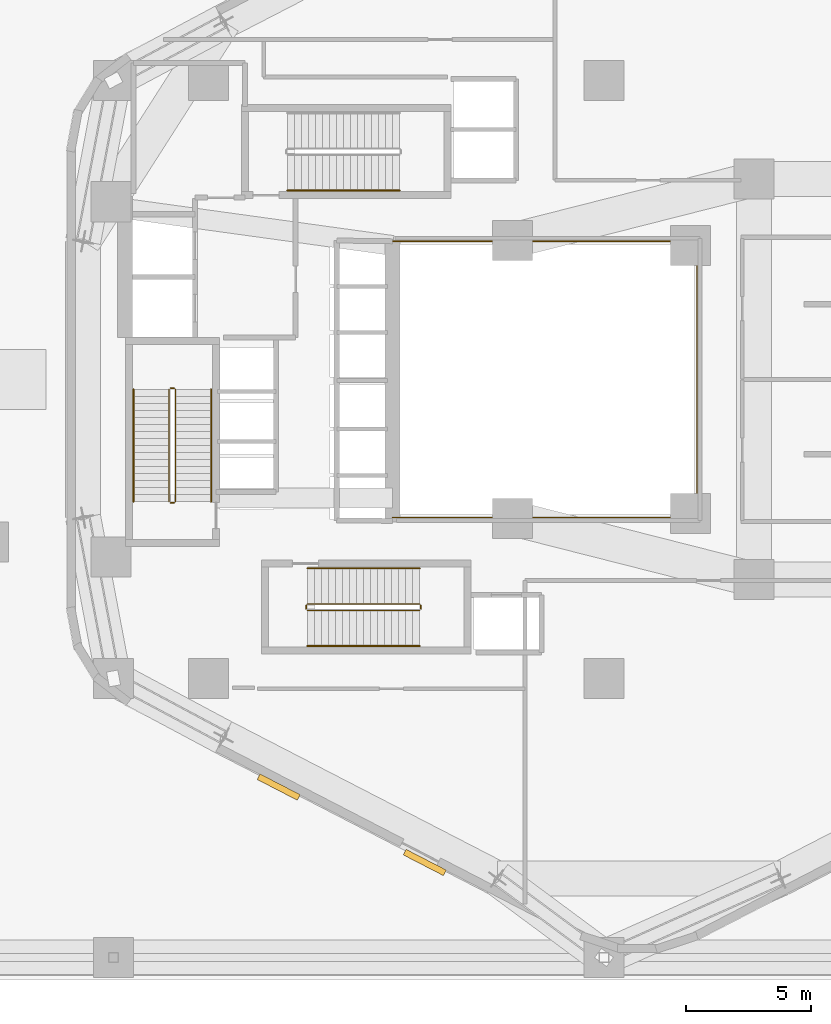
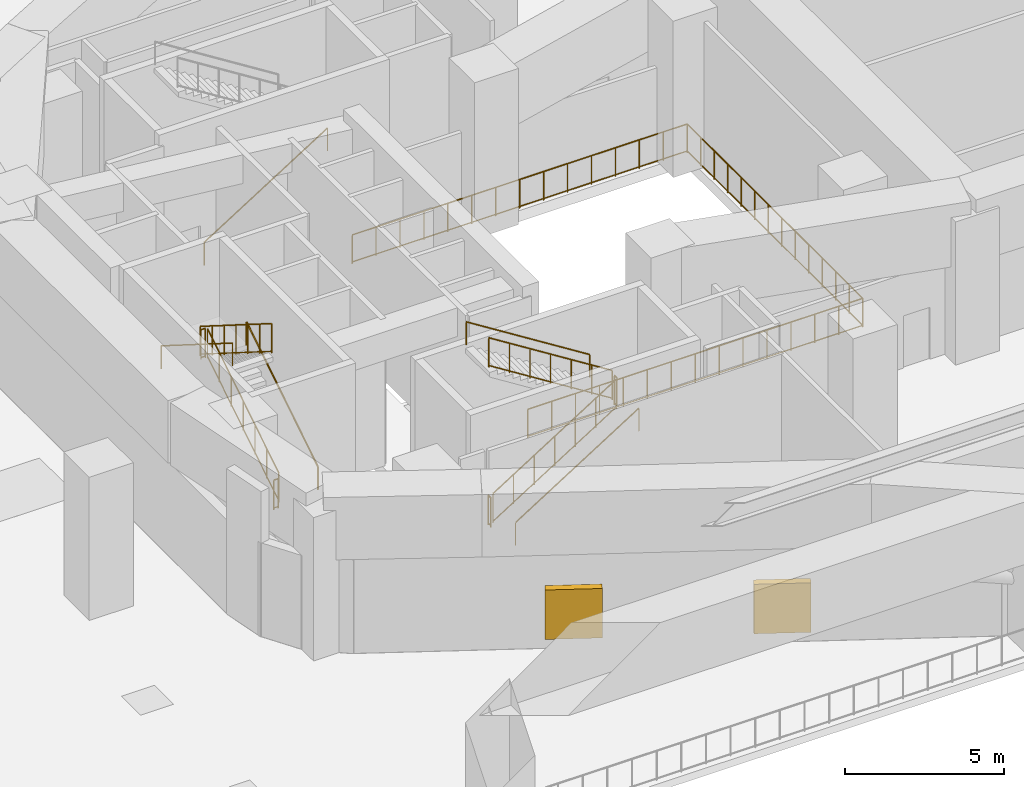
# One storey, part 12 of 15: 14 railings, 2 shading devices.
"""IFC4 building model written with IfcOpenShell, lengths in metres."""

import ifcopenshell
import ifcopenshell.guid

model = None  # the IFC model being written
_history = None  # IfcOwnerHistory: only IFC2X3 demands one
_inside = {}  # id of a spatial element -> (the spatial element, [elements in it])
_under = {}  # id of a project, library or spatial element -> (it, [spatial elements below it])
_declared = {}  # id of a project -> (the project, [libraries it declares])
_typed = {}  # id of a type object -> (the type object, [elements of that type])
_made_of = {}  # id of a material, layer set ... -> (it, [elements and type objects made of it])


def new_model(schema):
    """Start an empty IFC model of exactly this schema.

    Asked for "IFC4X3", IfcOpenShell would pick the latest addendum, in which some entities
    have other attributes; the version numbers below select the first issue.
    IFC2X3 requires an IfcOwnerHistory on every rooted entity: one is made here for all.
    """
    global model, _history
    if schema == "IFC4X3":
        model = ifcopenshell.file(schema_version=(4, 3, 0, 0))
    else:
        model = ifcopenshell.file(schema=schema)
    _inside.clear()
    _under.clear()
    _declared.clear()
    _typed.clear()
    _made_of.clear()
    _history = None
    if model.schema == "IFC2X3":
        org = make("IfcOrganization", Name="unknown")
        user = make(
            "IfcPersonAndOrganization",
            ThePerson=make("IfcPerson", FamilyName="unknown"),
            TheOrganization=org,
        )
        app = make(
            "IfcApplication",
            ApplicationDeveloper=org,
            Version="unknown",
            ApplicationFullName="unknown",
            ApplicationIdentifier="unknown",
        )
        _history = make(
            "IfcOwnerHistory",
            OwningUser=user,
            OwningApplication=app,
            ChangeAction="ADDED",
            CreationDate=0,
        )
    return model


def make(cls, **values):
    """One entity of the class cls with the attributes given. An attribute that is None is left unset."""
    return model.create_entity(
        cls, **{name: value for name, value in values.items() if value is not None}
    )


def rooted(cls, **values):
    """An entity with a GlobalId (a new one), such as an element, a storey or a relation."""
    return make(cls, GlobalId=ifcopenshell.guid.new(), OwnerHistory=_history, **values)


def si_unit(unit_type, name, prefix=None):
    """IfcSIUnit, for example si_unit("LENGTHUNIT", "METRE", prefix="MILLI")."""
    return make("IfcSIUnit", UnitType=unit_type, Prefix=prefix, Name=name)


def assignment(units):
    """IfcUnitAssignment: the units of a project."""
    return None if units is None else make("IfcUnitAssignment", Units=units)


def point(xyz):
    """IfcCartesianPoint."""
    return None if xyz is None else make("IfcCartesianPoint", Coordinates=xyz)


def direction(xyz):
    """IfcDirection."""
    return None if xyz is None else make("IfcDirection", DirectionRatios=xyz)


def frame(location, z_axis=None, x_axis=None):
    """IfcAxis2Placement3D, a coordinate frame: its origin and axes. An axis left out is left unset."""
    return make(
        "IfcAxis2Placement3D",
        Location=point(location),
        Axis=direction(z_axis),
        RefDirection=direction(x_axis),
    )


def frame_2d(location, x_axis=None):
    """IfcAxis2Placement2D, a coordinate frame in the plane: its origin and x axis."""
    return make(
        "IfcAxis2Placement2D", Location=point(location), RefDirection=direction(x_axis)
    )


def origin():
    """The frame at (0, 0, 0) with its axes left unset."""
    return frame((0.0, 0.0, 0.0))


def origin_2d():
    """The frame at (0, 0) in the plane with its x axis left unset."""
    return frame_2d((0.0, 0.0))


def place(relative_to, where):
    """IfcLocalPlacement: puts the frame where relative to a parent placement (None: the world)."""
    return make(
        "IfcLocalPlacement", PlacementRelTo=relative_to, RelativePlacement=where
    )


def context(
    kind, dimensions, precision=None, world=None, true_north=None, identifier=None
):
    """IfcGeometricRepresentationContext, for example the 3D "Model" context."""
    return make(
        "IfcGeometricRepresentationContext",
        ContextIdentifier=identifier,
        ContextType=kind,
        CoordinateSpaceDimension=dimensions,
        Precision=precision,
        WorldCoordinateSystem=world,
        TrueNorth=true_north,
    )


def subcontext(parent, identifier, kind, view, scale=None):
    """IfcGeometricRepresentationSubContext, for example "Body" below "Model"."""
    return make(
        "IfcGeometricRepresentationSubContext",
        ContextIdentifier=identifier,
        ContextType=kind,
        ParentContext=parent,
        TargetScale=scale,
        TargetView=view,
    )


def project(units=None, contexts=None):
    """IfcProject with its units and contexts."""
    return rooted(
        "IfcProject",
        Name="project",
        RepresentationContexts=contexts,
        UnitsInContext=assignment(units),
    )


def spatial(cls, under=None, at=None, **own):
    """A site, building, storey or space (cls), placed at a placement, below another one or the project."""
    s = rooted(cls, ObjectPlacement=at, **own)
    if under is not None:
        _under.setdefault(under.id(), (under, []))[1].append(s)
    return s


def profile(cls, at=None, kind="AREA", **sizes):
    """A parametric profile (cls). Its sizes go by their IFC names, for example OverallWidth=200.0."""
    return make(cls, ProfileType=kind, Position=at, **sizes)


def rectangle(**sizes):
    """IfcRectangleProfileDef."""
    return profile("IfcRectangleProfileDef", **sizes)


def circle(**sizes):
    """IfcCircleProfileDef."""
    return profile("IfcCircleProfileDef", **sizes)


def extrude(swept, where, along, depth):
    """IfcExtrudedAreaSolid: the profile swept, set in the frame where, extruded along a direction by depth."""
    return make(
        "IfcExtrudedAreaSolid",
        SweptArea=swept,
        Position=where,
        ExtrudedDirection=direction(along),
        Depth=depth,
    )


def shape(context_of_items, identifier, shape_type, items):
    """IfcShapeRepresentation: the items that make up one representation, for example the "Body"."""
    return make(
        "IfcShapeRepresentation",
        ContextOfItems=context_of_items,
        RepresentationIdentifier=identifier,
        RepresentationType=shape_type,
        Items=items,
    )


def material(Name=None, Category=None):
    """IfcMaterial."""
    return make("IfcMaterial", Name=Name, Category=Category)


def made_of(thing, what):
    """Note that an element or type object is made of a material, layer set ...; save() writes the relation."""
    if what is not None:
        _made_of.setdefault(what.id(), (what, []))[1].append(thing)
    return thing


def type_object(cls, material=None, **own):
    """A type object (cls), such as IfcWallType, which elements share."""
    return made_of(rooted(cls, **own), material)


def element(
    cls,
    number,
    at=None,
    inside=None,
    cuts=None,
    type_object=None,
    material=None,
    context=None,
    identifier="Body",
    shape_type=None,
    held_by="IfcProductDefinitionShape",
    body=None,
    shapes=None,
    **own,
):
    """One element of the class cls, such as IfcWall. Its Tag is "e" and its number.

    at: its placement. inside: the storey or other place that contains it. cuts: it is an
    opening in that element (IfcRelVoidsElement). A single representation is given by context,
    identifier, shape_type and body (its items); several are given by shapes. held_by: the class
    of the entity that holds the representations. save() writes the other relations.
    """
    e = rooted(cls, Tag="e%d" % number, ObjectPlacement=at, **own)
    if body is not None:
        shapes = [shape(context, identifier, shape_type, body)]
    if shapes is not None:
        e.Representation = make(held_by, Representations=shapes)
    if inside is not None:
        _inside.setdefault(inside.id(), (inside, []))[1].append(e)
    if cuts is not None:
        rooted(
            "IfcRelVoidsElement", RelatingBuildingElement=cuts, RelatedOpeningElement=e
        )
    if type_object is not None:
        _typed.setdefault(type_object.id(), (type_object, []))[1].append(e)
    return made_of(e, material)


def aggregate(whole, parts):
    """IfcRelAggregates: a whole, such as a stair, and the parts it consists of."""
    return rooted("IfcRelAggregates", RelatingObject=whole, RelatedObjects=parts)


def save(model, path):
    """Write the relations noted so far, then the file.

    IfcRelAggregates (storeys below a building ...), IfcRelContainedInSpatialStructure (elements
    in a storey), IfcRelDefinesByType, IfcRelAssociatesMaterial and IfcRelDeclares: one each for
    every whole, place, type object, material and project.
    """
    for whole, parts in _under.values():
        aggregate(whole, parts)
    for where, things in _inside.values():
        rooted(
            "IfcRelContainedInSpatialStructure",
            RelatedElements=things,
            RelatingStructure=where,
        )
    for kind, things in _typed.values():
        rooted("IfcRelDefinesByType", RelatedObjects=things, RelatingType=kind)
    for what, things in _made_of.values():
        rooted("IfcRelAssociatesMaterial", RelatedObjects=things, RelatingMaterial=what)
    for by, libraries in _declared.values():
        rooted("IfcRelDeclares", RelatingContext=by, RelatedDefinitions=libraries)
    model.write(path)


model = new_model("IFC4")

# Units and contexts
model_context = context("Model", 3, precision=1e-05, world=origin(), true_north=direction((0.0, 1.0)))
body_context = subcontext(model_context, "Body", "Model", "MODEL_VIEW")
ifc_project = project(units=[si_unit("LENGTHUNIT", "METRE"), si_unit("AREAUNIT", "SQUARE_METRE"), si_unit("VOLUMEUNIT", "CUBIC_METRE"), si_unit("PLANEANGLEUNIT", "RADIAN"), si_unit("MASSUNIT", "GRAM", prefix="KILO"), si_unit("THERMODYNAMICTEMPERATUREUNIT", "KELVIN"), si_unit("POWERUNIT", "WATT")], contexts=[model_context])

# Site, building, storey
site_placement = place(None, origin())
site = spatial("IfcSite", under=ifc_project, at=site_placement, CompositionType="ELEMENT")
building_placement = place(site_placement, origin())
building = spatial("IfcBuilding", under=site, at=building_placement, Name="Skarre Station Tower", CompositionType="ELEMENT")
storey_placement = place(building_placement, frame((0.0, 0.0, 21.0)))
storey = spatial("IfcBuildingStorey", under=building, at=storey_placement, Name="L05", CompositionType="ELEMENT", Elevation=21.0)

# Railings
ifc_material_1 = material(Name="Bronze Anodized Steel & Laminated Glass Balustrade", Category="steel")
railing_type_1 = type_object("IfcRailingType", Name="Atrium Void & Mezzanine Guard Balustrade 1120", PredefinedType="GUARDRAIL", material=ifc_material_1)
railing_1_placement = place(storey_placement, frame((27.550048828125, 18.47998046875, 0.0)))
element("IfcRailing", 1, at=railing_1_placement, inside=storey, type_object=railing_type_1, Name="L05 Atrium Void Guard Balustrade", PredefinedType="GUARDRAIL", context=body_context, shape_type="SweptSolid", body=[
    extrude(circle(Radius=0.02392578125, at=origin_2d()), frame((0.0, 0.0, 1.09619140625), z_axis=(1.0, 0.0, 0.0), x_axis=(0.0, 1.0, 0.0)), (0.0, 0.0, 1.0), 12.169921875),
    extrude(circle(Radius=0.02099609375, at=origin_2d()), frame((0.0, 0.0, 0.06005859375), z_axis=(1.0, 0.0, 0.0), x_axis=(0.0, 1.0, 0.0)), (0.0, 0.0, 1.0), 12.169921875),
    extrude(circle(Radius=0.02392578125, at=origin_2d()), frame((12.169921875, 0.0, 1.09619140625), z_axis=(0.0, 1.0, 0.0), x_axis=(-1.0, 0.0, 0.0)), (0.0, 0.0, 1.0), 11.0400390625),
    extrude(circle(Radius=0.02099609375, at=origin_2d()), frame((12.169921875, 0.0, 0.06005859375), z_axis=(0.0, 1.0, 0.0), x_axis=(-1.0, 0.0, 0.0)), (0.0, 0.0, 1.0), 11.0400390625),
    extrude(circle(Radius=0.02392578125, at=origin_2d()), frame((12.169921875, 11.0400390625, 1.09619140625), z_axis=(-1.0, 0.0, 0.0), x_axis=(0.0, -1.0, 0.0)), (0.0, 0.0, 1.0), 12.169921875),
    extrude(circle(Radius=0.02099609375, at=origin_2d()), frame((12.169921875, 11.0400390625, 0.06005859375), z_axis=(-1.0, 0.0, 0.0), x_axis=(0.0, -1.0, 0.0)), (0.0, 0.0, 1.0), 12.169921875),
    extrude(circle(Radius=0.02099609375, at=origin_2d()), origin(), (0.0, 0.0, 1.0), 1.072021484375),
    extrude(circle(Radius=0.02099609375, at=origin_2d()), frame((0.869384765625, 0.0, 0.0)), (0.0, 0.0, 1.0), 1.072021484375),
    extrude(circle(Radius=0.02099609375, at=origin_2d()), frame((1.738525390625, 0.0, 0.0)), (0.0, 0.0, 1.0), 1.072021484375),
    extrude(circle(Radius=0.02099609375, at=origin_2d()), frame((2.60791015625, 0.0, 0.0)), (0.0, 0.0, 1.0), 1.072021484375),
    extrude(circle(Radius=0.02099609375, at=origin_2d()), frame((3.47705078125, 0.0, 0.0)), (0.0, 0.0, 1.0), 1.072021484375),
    extrude(circle(Radius=0.02099609375, at=origin_2d()), frame((4.346435546875, 0.0, 0.0)), (0.0, 0.0, 1.0), 1.072021484375),
    extrude(circle(Radius=0.02099609375, at=origin_2d()), frame((5.215576171875, 0.0, 0.0)), (0.0, 0.0, 1.0), 1.072021484375),
    extrude(circle(Radius=0.02099609375, at=origin_2d()), frame((6.0849609375, 0.0, 0.0)), (0.0, 0.0, 1.0), 1.072021484375),
    extrude(circle(Radius=0.02099609375, at=origin_2d()), frame((6.954345703125, 0.0, 0.0)), (0.0, 0.0, 1.0), 1.072021484375),
    extrude(circle(Radius=0.02099609375, at=origin_2d()), frame((7.823486328125, 0.0, 0.0)), (0.0, 0.0, 1.0), 1.072021484375),
    extrude(circle(Radius=0.02099609375, at=origin_2d()), frame((8.69287109375, 0.0, 0.0)), (0.0, 0.0, 1.0), 1.072021484375),
    extrude(circle(Radius=0.02099609375, at=origin_2d()), frame((9.56201171875, 0.0, 0.0)), (0.0, 0.0, 1.0), 1.072021484375),
    extrude(circle(Radius=0.02099609375, at=origin_2d()), frame((10.431396484375, 0.0, 0.0)), (0.0, 0.0, 1.0), 1.072021484375),
    extrude(circle(Radius=0.02099609375, at=origin_2d()), frame((11.300537109375, 0.0, 0.0)), (0.0, 0.0, 1.0), 1.072021484375),
    extrude(circle(Radius=0.02099609375, at=origin_2d()), frame((12.169921875, 0.0, 0.0)), (0.0, 0.0, 1.0), 1.072021484375),
    extrude(circle(Radius=0.02099609375, at=origin_2d()), frame((12.169921875, 0.84912109375, 0.0)), (0.0, 0.0, 1.0), 1.072021484375),
    extrude(circle(Radius=0.02099609375, at=origin_2d()), frame((12.169921875, 1.698486328125, 0.0)), (0.0, 0.0, 1.0), 1.072021484375),
    extrude(circle(Radius=0.02099609375, at=origin_2d()), frame((12.169921875, 2.547607421875, 0.0)), (0.0, 0.0, 1.0), 1.072021484375),
    extrude(circle(Radius=0.02099609375, at=origin_2d()), frame((12.169921875, 3.39697265625, 0.0)), (0.0, 0.0, 1.0), 1.072021484375),
    extrude(circle(Radius=0.02099609375, at=origin_2d()), frame((12.169921875, 4.24609375, 0.0)), (0.0, 0.0, 1.0), 1.072021484375),
    extrude(circle(Radius=0.02099609375, at=origin_2d()), frame((12.169921875, 5.095458984375, 0.0)), (0.0, 0.0, 1.0), 1.072021484375),
    extrude(circle(Radius=0.02099609375, at=origin_2d()), frame((12.169921875, 5.944580078125, 0.0)), (0.0, 0.0, 1.0), 1.072021484375),
    extrude(circle(Radius=0.02099609375, at=origin_2d()), frame((12.169921875, 6.7939453125, 0.0)), (0.0, 0.0, 1.0), 1.072021484375),
    extrude(circle(Radius=0.02099609375, at=origin_2d()), frame((12.169921875, 7.64306640625, 0.0)), (0.0, 0.0, 1.0), 1.072021484375),
    extrude(circle(Radius=0.02099609375, at=origin_2d()), frame((12.169921875, 8.492431640625, 0.0)), (0.0, 0.0, 1.0), 1.072021484375),
    extrude(circle(Radius=0.02099609375, at=origin_2d()), frame((12.169921875, 9.341552734375, 0.0)), (0.0, 0.0, 1.0), 1.072021484375),
    extrude(circle(Radius=0.02099609375, at=origin_2d()), frame((12.169921875, 10.19091796875, 0.0)), (0.0, 0.0, 1.0), 1.072021484375),
    extrude(circle(Radius=0.02099609375, at=origin_2d()), frame((12.169921875, 11.0400390625, 0.0)), (0.0, 0.0, 1.0), 1.072021484375),
    extrude(circle(Radius=0.02099609375, at=origin_2d()), frame((11.300537109375, 11.0400390625, 0.0)), (0.0, 0.0, 1.0), 1.072021484375),
    extrude(circle(Radius=0.02099609375, at=origin_2d()), frame((10.431396484375, 11.0400390625, 0.0)), (0.0, 0.0, 1.0), 1.072021484375),
    extrude(circle(Radius=0.02099609375, at=origin_2d()), frame((9.56201171875, 11.0400390625, 0.0)), (0.0, 0.0, 1.0), 1.072021484375),
    extrude(circle(Radius=0.02099609375, at=origin_2d()), frame((8.69287109375, 11.0400390625, 0.0)), (0.0, 0.0, 1.0), 1.072021484375),
    extrude(circle(Radius=0.02099609375, at=origin_2d()), frame((7.823486328125, 11.0400390625, 0.0)), (0.0, 0.0, 1.0), 1.072021484375),
    extrude(circle(Radius=0.02099609375, at=origin_2d()), frame((6.954345703125, 11.0400390625, 0.0)), (0.0, 0.0, 1.0), 1.072021484375),
    extrude(circle(Radius=0.02099609375, at=origin_2d()), frame((6.0849609375, 11.0400390625, 0.0)), (0.0, 0.0, 1.0), 1.072021484375),
    extrude(circle(Radius=0.02099609375, at=origin_2d()), frame((5.215576171875, 11.0400390625, 0.0)), (0.0, 0.0, 1.0), 1.072021484375),
    extrude(circle(Radius=0.02099609375, at=origin_2d()), frame((4.346435546875, 11.0400390625, 0.0)), (0.0, 0.0, 1.0), 1.072021484375),
    extrude(circle(Radius=0.02099609375, at=origin_2d()), frame((3.47705078125, 11.0400390625, 0.0)), (0.0, 0.0, 1.0), 1.072021484375),
    extrude(circle(Radius=0.02099609375, at=origin_2d()), frame((2.60791015625, 11.0400390625, 0.0)), (0.0, 0.0, 1.0), 1.072021484375),
    extrude(circle(Radius=0.02099609375, at=origin_2d()), frame((1.738525390625, 11.0400390625, 0.0)), (0.0, 0.0, 1.0), 1.072021484375),
    extrude(circle(Radius=0.02099609375, at=origin_2d()), frame((0.869384765625, 11.0400390625, 0.0)), (0.0, 0.0, 1.0), 1.072021484375),
    extrude(circle(Radius=0.02099609375, at=origin_2d()), frame((0.0, 11.0400390625, 0.0)), (0.0, 0.0, 1.0), 1.072021484375),
])
ifc_material_2 = material(Name="Powder-Coated Tubular Steel", Category="steel")
railing_type_2 = type_object("IfcRailingType", Name="Painted Steel Ramp & Stair Handrail 920", PredefinedType="HANDRAIL", material=ifc_material_2)
railing_2_placement = place(storey_placement, frame((20.300048828125, 19.1201171875, 0.176513671875)))
element("IfcRailing", 2, at=railing_2_placement, inside=storey, type_object=railing_type_2, Name="L05 ST-1 stair handrail 1", PredefinedType="HANDRAIL", context=body_context, shape_type="SweptSolid", body=[
    extrude(circle(Radius=0.02392578125, at=origin_2d()), frame((0.0, 0.0, 0.8759765625), z_axis=(0.0, 0.845997938375, 0.533186166611), x_axis=(-1.0, 0.0, 0.0)), (0.0, 0.0, 1.0), 5.29541015625),
    extrude(circle(Radius=0.02099609375, at=origin_2d()), origin(), (0.0, 0.0, 1.0), 0.851806640625),
    extrude(circle(Radius=0.02099609375, at=origin_2d()), frame((0.0, 4.47998046875, 2.823486328125)), (0.0, 0.0, 1.0), 0.851806640625),
])
railing_3_placement = place(storey_placement, frame((17.199951171875, 23.60009765625, 3.176513671875)))
element("IfcRailing", 3, at=railing_3_placement, inside=storey, type_object=railing_type_2, Name="L05 ST-1 stair handrail 2", PredefinedType="HANDRAIL", context=body_context, shape_type="SweptSolid", body=[
    extrude(circle(Radius=0.02392578125, at=origin_2d()), frame((0.0, 0.0, 0.8759765625), z_axis=(0.0, -0.845997938375, 0.533186166611), x_axis=(1.0, 0.0, 0.0)), (0.0, 0.0, 1.0), 5.29541015625),
    extrude(circle(Radius=0.02099609375, at=origin_2d()), origin(), (0.0, 0.0, 1.0), 0.851806640625),
    extrude(circle(Radius=0.02099609375, at=origin_2d()), frame((0.0, -4.47998046875, 2.823486328125)), (0.0, 0.0, 1.0), 0.851806640625),
])
railing_4_placement = place(storey_placement, frame((24.14990234375, 13.35009765625, 0.176513671875)))
element("IfcRailing", 4, at=railing_4_placement, inside=storey, type_object=railing_type_2, Name="L05 ST-2 stair handrail 1", PredefinedType="HANDRAIL", context=body_context, shape_type="SweptSolid", body=[
    extrude(circle(Radius=0.02392578125, at=origin_2d()), frame((0.0, 0.0, 0.8759765625), z_axis=(0.845997938375, 0.0, 0.533186166611), x_axis=(0.0, 1.0, 0.0)), (0.0, 0.0, 1.0), 5.29541015625),
    extrude(circle(Radius=0.02099609375, at=origin_2d()), origin(), (0.0, 0.0, 1.0), 0.851806640625),
    extrude(circle(Radius=0.02099609375, at=origin_2d()), frame((4.47998046875, 0.0, 2.823486328125)), (0.0, 0.0, 1.0), 0.851806640625),
])
railing_5_placement = place(storey_placement, frame((28.6298828125, 16.449951171875, 3.176513671875)))
element("IfcRailing", 5, at=railing_5_placement, inside=storey, type_object=railing_type_2, Name="L05 ST-2 stair handrail 2", PredefinedType="HANDRAIL", context=body_context, shape_type="SweptSolid", body=[
    extrude(circle(Radius=0.02392578125, at=origin_2d()), frame((0.0, 0.0, 0.8759765625), z_axis=(-0.845997938375, 0.0, 0.533186166611), x_axis=(0.0, -1.0, 0.0)), (0.0, 0.0, 1.0), 5.29541015625),
    extrude(circle(Radius=0.02099609375, at=origin_2d()), origin(), (0.0, 0.0, 1.0), 0.851806640625),
    extrude(circle(Radius=0.02099609375, at=origin_2d()), frame((-4.47998046875, 0.0, 2.823486328125)), (0.0, 0.0, 1.0), 0.851806640625),
])
railing_6_placement = place(storey_placement, frame((23.35009765625, 31.550048828125, 0.176513671875)))
element("IfcRailing", 6, at=railing_6_placement, inside=storey, type_object=railing_type_2, Name="L05 ST-3 stair handrail 1", PredefinedType="HANDRAIL", context=body_context, shape_type="SweptSolid", body=[
    extrude(circle(Radius=0.02392578125, at=origin_2d()), frame((0.0, 0.0, 0.8759765625), z_axis=(0.845997938375, 0.0, 0.533186166611), x_axis=(0.0, 1.0, 0.0)), (0.0, 0.0, 1.0), 5.29541015625),
    extrude(circle(Radius=0.02099609375, at=origin_2d()), origin(), (0.0, 0.0, 1.0), 0.851806640625),
    extrude(circle(Radius=0.02099609375, at=origin_2d()), frame((4.47998046875, 0.0, 2.823486328125)), (0.0, 0.0, 1.0), 0.851806640625),
])
railing_type_3 = type_object("IfcRailingType", Name="Painted Steel Stairwell Guardrail 1100", PredefinedType="GUARDRAIL", material=ifc_material_2)
railing_7_placement = place(storey_placement, frame((18.8798828125, 19.1201171875, 0.176513671875)))
element("IfcRailing", 7, at=railing_7_placement, inside=storey, type_object=railing_type_3, Name="L05 ST-1 stair guard 1", PredefinedType="GUARDRAIL", context=body_context, shape_type="SweptSolid", body=[
    extrude(circle(Radius=0.02392578125, at=origin_2d()), frame((0.0, 0.0, 1.1259765625), z_axis=(0.0, 0.845997938375, 0.533186166611), x_axis=(-1.0, 0.0, 0.0)), (0.0, 0.0, 1.0), 5.29541015625),
    extrude(circle(Radius=0.02099609375, at=origin_2d()), frame((0.0, 0.0, 0.06005859375), z_axis=(0.0, 0.845997938375, 0.533186166611), x_axis=(-1.0, 0.0, 0.0)), (0.0, 0.0, 1.0), 5.29541015625),
    extrude(circle(Radius=0.02099609375, at=origin_2d()), origin(), (0.0, 0.0, 1.0), 1.101806640625),
    extrude(circle(Radius=0.02099609375, at=origin_2d()), frame((0.0, 0.74658203125, 0.470703125)), (0.0, 0.0, 1.0), 1.101806640625),
    extrude(circle(Radius=0.02099609375, at=origin_2d()), frame((0.0, 1.493408203125, 0.941162109375)), (0.0, 0.0, 1.0), 1.101806640625),
    extrude(circle(Radius=0.02099609375, at=origin_2d()), frame((0.0, 2.239990234375, 1.41162109375)), (0.0, 0.0, 1.0), 1.101806640625),
    extrude(circle(Radius=0.02099609375, at=origin_2d()), frame((0.0, 2.986572265625, 1.88232421875)), (0.0, 0.0, 1.0), 1.101806640625),
    extrude(circle(Radius=0.02099609375, at=origin_2d()), frame((0.0, 3.7333984375, 2.35302734375)), (0.0, 0.0, 1.0), 1.101806640625),
    extrude(circle(Radius=0.02099609375, at=origin_2d()), frame((0.0, 4.47998046875, 2.823486328125)), (0.0, 0.0, 1.0), 1.101806640625),
])
railing_8_placement = place(storey_placement, frame((18.830078125, 23.64990234375, 3.0)))
element("IfcRailing", 8, at=railing_8_placement, inside=storey, type_object=railing_type_3, Name="L05 ST-1 stair guard 2", PredefinedType="GUARDRAIL", context=body_context, shape_type="SweptSolid", body=[
    extrude(circle(Radius=0.02392578125, at=origin_2d()), frame((0.0, 0.0, 1.1259765625), z_axis=(-1.0, 0.0, 0.0), x_axis=(0.0, -1.0, 0.0)), (0.0, 0.0, 1.0), 0.16015625),
    extrude(circle(Radius=0.02099609375, at=origin_2d()), frame((0.0, 0.0, 0.06005859375), z_axis=(-1.0, 0.0, 0.0), x_axis=(0.0, -1.0, 0.0)), (0.0, 0.0, 1.0), 0.16015625),
    extrude(circle(Radius=0.02099609375, at=origin_2d()), origin(), (0.0, 0.0, 1.0), 1.101806640625),
    extrude(circle(Radius=0.02099609375, at=origin_2d()), frame((-0.16015625, 0.0, 0.0)), (0.0, 0.0, 1.0), 1.101806640625),
])
railing_9_placement = place(storey_placement, frame((18.6201171875, 23.60009765625, 3.176513671875)))
element("IfcRailing", 9, at=railing_9_placement, inside=storey, type_object=railing_type_3, Name="L05 ST-1 stair guard 3", PredefinedType="GUARDRAIL", context=body_context, shape_type="SweptSolid", body=[
    extrude(circle(Radius=0.02392578125, at=origin_2d()), frame((0.0, 0.0, 1.1259765625), z_axis=(0.0, -0.845997938375, 0.533186166611), x_axis=(1.0, 0.0, 0.0)), (0.0, 0.0, 1.0), 5.29541015625),
    extrude(circle(Radius=0.02099609375, at=origin_2d()), frame((0.0, 0.0, 0.06005859375), z_axis=(0.0, -0.845997938375, 0.533186166611), x_axis=(1.0, 0.0, 0.0)), (0.0, 0.0, 1.0), 5.29541015625),
    extrude(circle(Radius=0.02099609375, at=origin_2d()), origin(), (0.0, 0.0, 1.0), 1.101806640625),
    extrude(circle(Radius=0.02099609375, at=origin_2d()), frame((0.0, -0.74658203125, 0.470703125)), (0.0, 0.0, 1.0), 1.101806640625),
    extrude(circle(Radius=0.02099609375, at=origin_2d()), frame((0.0, -1.493408203125, 0.941162109375)), (0.0, 0.0, 1.0), 1.101806640625),
    extrude(circle(Radius=0.02099609375, at=origin_2d()), frame((0.0, -2.239990234375, 1.41162109375)), (0.0, 0.0, 1.0), 1.101806640625),
    extrude(circle(Radius=0.02099609375, at=origin_2d()), frame((0.0, -2.986572265625, 1.88232421875)), (0.0, 0.0, 1.0), 1.101806640625),
    extrude(circle(Radius=0.02099609375, at=origin_2d()), frame((0.0, -3.7333984375, 2.35302734375)), (0.0, 0.0, 1.0), 1.101806640625),
    extrude(circle(Radius=0.02099609375, at=origin_2d()), frame((0.0, -4.47998046875, 2.823486328125)), (0.0, 0.0, 1.0), 1.101806640625),
])
railing_10_placement = place(storey_placement, frame((18.830078125, 19.070068359375, 0.0)))
element("IfcRailing", 10, at=railing_10_placement, inside=storey, type_object=railing_type_3, Name="L05 ST-1 stair guard 4", PredefinedType="GUARDRAIL", context=body_context, shape_type="SweptSolid", body=[
    extrude(circle(Radius=0.02392578125, at=origin_2d()), frame((0.0, 0.0, 1.1259765625), z_axis=(-1.0, 0.0, 0.0), x_axis=(0.0, -1.0, 0.0)), (0.0, 0.0, 1.0), 0.16015625),
    extrude(circle(Radius=0.02099609375, at=origin_2d()), frame((0.0, 0.0, 0.06005859375), z_axis=(-1.0, 0.0, 0.0), x_axis=(0.0, -1.0, 0.0)), (0.0, 0.0, 1.0), 0.16015625),
    extrude(circle(Radius=0.02099609375, at=origin_2d()), origin(), (0.0, 0.0, 1.0), 1.101806640625),
    extrude(circle(Radius=0.02099609375, at=origin_2d()), frame((-0.16015625, 0.0, 0.0)), (0.0, 0.0, 1.0), 1.101806640625),
])
railing_11_placement = place(storey_placement, frame((24.14990234375, 14.77001953125, 0.176513671875)))
element("IfcRailing", 11, at=railing_11_placement, inside=storey, type_object=railing_type_3, Name="L05 ST-2 stair guard 1", PredefinedType="GUARDRAIL", context=body_context, shape_type="SweptSolid", body=[
    extrude(circle(Radius=0.02392578125, at=origin_2d()), frame((0.0, 0.0, 1.1259765625), z_axis=(0.845997938375, 0.0, 0.533186166611), x_axis=(0.0, 1.0, 0.0)), (0.0, 0.0, 1.0), 5.29541015625),
    extrude(circle(Radius=0.02099609375, at=origin_2d()), frame((0.0, 0.0, 0.06005859375), z_axis=(0.845997938375, 0.0, 0.533186166611), x_axis=(0.0, 1.0, 0.0)), (0.0, 0.0, 1.0), 5.29541015625),
    extrude(circle(Radius=0.02099609375, at=origin_2d()), origin(), (0.0, 0.0, 1.0), 1.101806640625),
    extrude(circle(Radius=0.02099609375, at=origin_2d()), frame((0.74658203125, 0.0, 0.470703125)), (0.0, 0.0, 1.0), 1.101806640625),
    extrude(circle(Radius=0.02099609375, at=origin_2d()), frame((1.493408203125, 0.0, 0.941162109375)), (0.0, 0.0, 1.0), 1.101806640625),
    extrude(circle(Radius=0.02099609375, at=origin_2d()), frame((2.239990234375, 0.0, 1.41162109375)), (0.0, 0.0, 1.0), 1.101806640625),
    extrude(circle(Radius=0.02099609375, at=origin_2d()), frame((2.986572265625, 0.0, 1.88232421875)), (0.0, 0.0, 1.0), 1.101806640625),
    extrude(circle(Radius=0.02099609375, at=origin_2d()), frame((3.7333984375, 0.0, 2.35302734375)), (0.0, 0.0, 1.0), 1.101806640625),
    extrude(circle(Radius=0.02099609375, at=origin_2d()), frame((4.47998046875, 0.0, 2.823486328125)), (0.0, 0.0, 1.0), 1.101806640625),
])
railing_12_placement = place(storey_placement, frame((28.679931640625, 14.820068359375, 3.0)))
element("IfcRailing", 12, at=railing_12_placement, inside=storey, type_object=railing_type_3, Name="L05 ST-2 stair guard 2", PredefinedType="GUARDRAIL", context=body_context, shape_type="SweptSolid", body=[
    extrude(circle(Radius=0.02392578125, at=origin_2d()), frame((0.0, 0.0, 1.1259765625), z_axis=(0.0, 1.0, 0.0), x_axis=(-1.0, 0.0, 0.0)), (0.0, 0.0, 1.0), 0.159912109375),
    extrude(circle(Radius=0.02099609375, at=origin_2d()), frame((0.0, 0.0, 0.06005859375), z_axis=(0.0, 1.0, 0.0), x_axis=(-1.0, 0.0, 0.0)), (0.0, 0.0, 1.0), 0.159912109375),
    extrude(circle(Radius=0.02099609375, at=origin_2d()), origin(), (0.0, 0.0, 1.0), 1.101806640625),
    extrude(circle(Radius=0.02099609375, at=origin_2d()), frame((0.0, 0.159912109375, 0.0)), (0.0, 0.0, 1.0), 1.101806640625),
])
railing_13_placement = place(storey_placement, frame((28.6298828125, 15.030029296875, 3.176513671875)))
element("IfcRailing", 13, at=railing_13_placement, inside=storey, type_object=railing_type_3, Name="L05 ST-2 stair guard 3", PredefinedType="GUARDRAIL", context=body_context, shape_type="SweptSolid", body=[
    extrude(circle(Radius=0.02392578125, at=origin_2d()), frame((0.0, 0.0, 1.1259765625), z_axis=(-0.845997938375, 0.0, 0.533186166611), x_axis=(0.0, -1.0, 0.0)), (0.0, 0.0, 1.0), 5.29541015625),
    extrude(circle(Radius=0.02099609375, at=origin_2d()), frame((0.0, 0.0, 0.06005859375), z_axis=(-0.845997938375, 0.0, 0.533186166611), x_axis=(0.0, -1.0, 0.0)), (0.0, 0.0, 1.0), 5.29541015625),
    extrude(circle(Radius=0.02099609375, at=origin_2d()), origin(), (0.0, 0.0, 1.0), 1.101806640625),
    extrude(circle(Radius=0.02099609375, at=origin_2d()), frame((-0.74658203125, 0.0, 0.470703125)), (0.0, 0.0, 1.0), 1.101806640625),
    extrude(circle(Radius=0.02099609375, at=origin_2d()), frame((-1.493408203125, 0.0, 0.941162109375)), (0.0, 0.0, 1.0), 1.101806640625),
    extrude(circle(Radius=0.02099609375, at=origin_2d()), frame((-2.239990234375, 0.0, 1.41162109375)), (0.0, 0.0, 1.0), 1.101806640625),
    extrude(circle(Radius=0.02099609375, at=origin_2d()), frame((-2.986572265625, 0.0, 1.88232421875)), (0.0, 0.0, 1.0), 1.101806640625),
    extrude(circle(Radius=0.02099609375, at=origin_2d()), frame((-3.7333984375, 0.0, 2.35302734375)), (0.0, 0.0, 1.0), 1.101806640625),
    extrude(circle(Radius=0.02099609375, at=origin_2d()), frame((-4.47998046875, 0.0, 2.823486328125)), (0.0, 0.0, 1.0), 1.101806640625),
])
railing_14_placement = place(storey_placement, frame((24.10009765625, 14.820068359375, 0.0)))
element("IfcRailing", 14, at=railing_14_placement, inside=storey, type_object=railing_type_3, Name="L05 ST-2 stair guard 4", PredefinedType="GUARDRAIL", context=body_context, shape_type="SweptSolid", body=[
    extrude(circle(Radius=0.02392578125, at=origin_2d()), frame((0.0, 0.0, 1.1259765625), z_axis=(0.0, 1.0, 0.0), x_axis=(-1.0, 0.0, 0.0)), (0.0, 0.0, 1.0), 0.159912109375),
    extrude(circle(Radius=0.02099609375, at=origin_2d()), frame((0.0, 0.0, 0.06005859375), z_axis=(0.0, 1.0, 0.0), x_axis=(-1.0, 0.0, 0.0)), (0.0, 0.0, 1.0), 0.159912109375),
    extrude(circle(Radius=0.02099609375, at=origin_2d()), origin(), (0.0, 0.0, 1.0), 1.101806640625),
    extrude(circle(Radius=0.02099609375, at=origin_2d()), frame((0.0, 0.159912109375, 0.0)), (0.0, 0.0, 1.0), 1.101806640625),
])

# Shading devices
ifc_material_3 = material(Name="Powder-Coated Aluminium Acoustic Louvre", Category="aluminium")
shading_device_type = type_object("IfcShadingDeviceType", Name="Plant Intake Acoustic Weather Louvre 1800x2200", PredefinedType="JALOUSIE", material=ifc_material_3)
for number, where, z_axis, x_axis, name in (
    (15, (28.8369140625, 4.696044921875, 0.5), (0.0, 0.0, 1.0), (-0.458618535612, -0.888633242003, 0.0), "L05 Facet 3 Mechanical Intake Louvre 1"),
    (16, (22.9990234375, 7.708984375, 0.5), (0.0, 0.0, 1.0), (-0.458618535612, -0.888633242003, 0.0), "L05 Facet 3 Mechanical Intake Louvre 2"),
):
    element("IfcShadingDevice", number, at=place(storey_placement, frame(where, z_axis=z_axis, x_axis=x_axis)), inside=storey, type_object=shading_device_type, Name=name, PredefinedType="JALOUSIE", context=body_context, shape_type="SweptSolid", body=[
        extrude(rectangle(XDim=0.25, YDim=1.800048828125, at=origin_2d()), origin(), (0.0, 0.0, 1.0), 1.89990234375),
    ])

save(model, "model.ifc")
